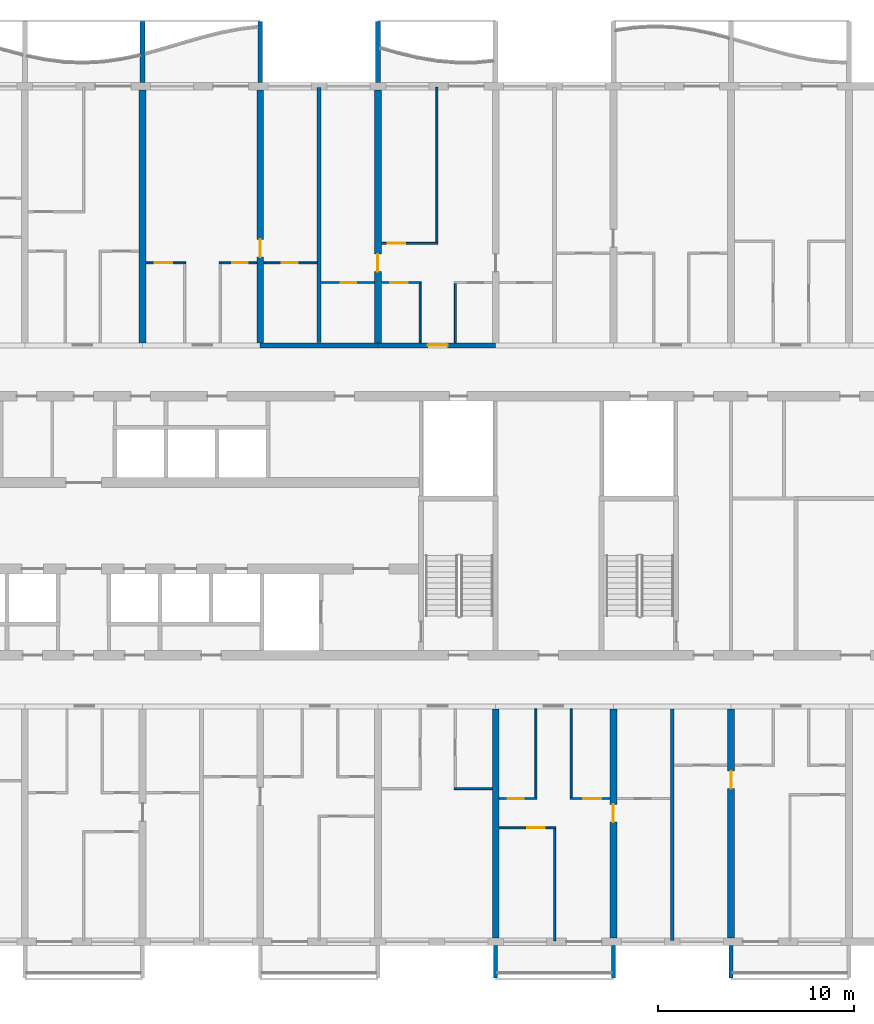
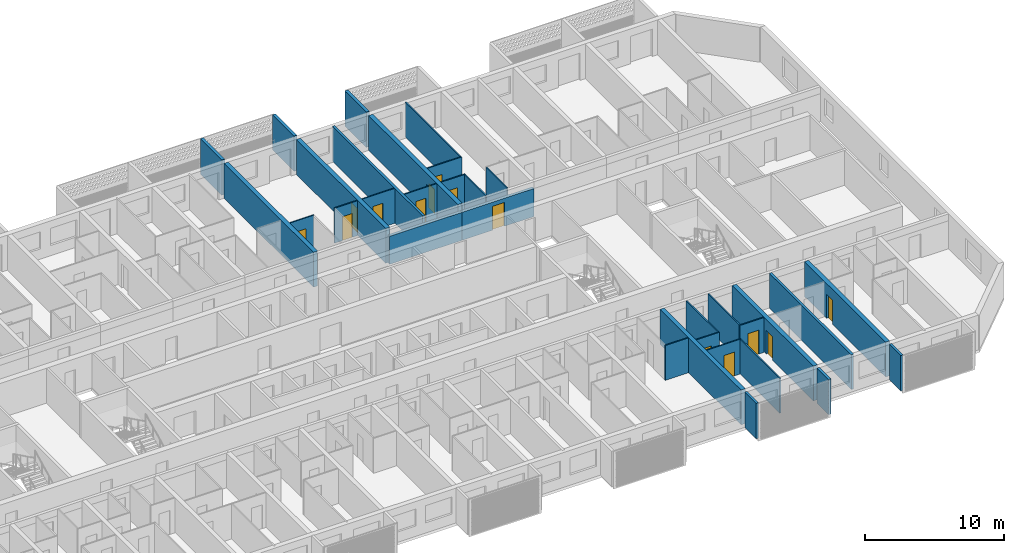
# One storey, part 13 of 27: 32 walls, 14 doors, 14 openings.
"""IFC4 building model written with IfcOpenShell, lengths in metres."""

from ifc_helpers import new_model, si_unit, direction, frame, frame_2d, origin, place, context, subcontext, project, spatial, polyline, rectangle, outline, extrude, source, transform, mapped, material, layer, layer_set, type_object, element, fill, save


model = new_model("IFC4")

# Units and contexts
model_context = context("Model", 3, precision=1e-05, world=origin(), true_north=direction((0.0, 1.0)))
body_context = subcontext(model_context, "Body", "Model", "MODEL_VIEW")
ifc_project = project(units=[si_unit("LENGTHUNIT", "METRE"), si_unit("AREAUNIT", "SQUARE_METRE"), si_unit("VOLUMEUNIT", "CUBIC_METRE"), si_unit("PLANEANGLEUNIT", "RADIAN"), si_unit("MASSUNIT", "GRAM", prefix="KILO")], contexts=[model_context])

# Site, building, storey
site_placement = place(None, origin())
site = spatial("IfcSite", under=ifc_project, at=site_placement, CompositionType="ELEMENT")
building_placement = place(site_placement, origin())
building = spatial("IfcBuilding", under=site, at=building_placement, Name="Poui Terraces", CompositionType="ELEMENT")
storey_placement = place(building_placement, frame((0.0, 0.0, 76.199951171875)))
storey = spatial("IfcBuildingStorey", under=building, at=storey_placement, Name="L20", CompositionType="ELEMENT", Elevation=76.199951171875)

# Wall
ifc_material_1 = material(Name="Concrete 65 MPa", Category="concrete")
ifc_layer_1 = layer(ifc_material_1, 0.25)
ifc_layer_set_1 = layer_set([ifc_layer_1], Name="Concrete 65 MPa")
wall_type_1 = type_object("IfcWallType", Name="CORRIDOR WALL 250 65MPa", PredefinedType="SHEAR", material=ifc_layer_set_1)
wall_1_placement = place(storey_placement, frame((60.0, 30.39990234375, 0.0), z_axis=(0.0, 0.0, 1.0), x_axis=(1.0, 0.0, 0.0)))
element("IfcWall", 1, at=wall_1_placement, inside=storey, type_object=wall_type_1, Name="CORRIDOR WALL LINE E BAY 10", PredefinedType="SHEAR", context=body_context, shape_type="SweptSolid", body=[
    extrude(rectangle(XDim=6.0, YDim=0.25, at=frame_2d((3.0, 0.0))), origin(), (0.0, 0.0, 1.0), 2.4599609375),
])

# Wall, opening, door
wall_2_placement = place(storey_placement, frame((66.0, 30.39990234375, 0.0), z_axis=(0.0, 0.0, 1.0), x_axis=(1.0, 0.0, 0.0)))
wall_2 = element("IfcWall", 2, at=wall_2_placement, inside=storey, type_object=wall_type_1, Name="CORRIDOR WALL LINE E BAY 11", PredefinedType="SHEAR", context=body_context, shape_type="SweptSolid", body=[
    extrude(rectangle(XDim=6.0, YDim=0.25, at=frame_2d((3.0, 0.0))), origin(), (0.0, 0.0, 1.0), 2.4599609375),
])
opening_1_placement = place(wall_2_placement, frame((2.550048828125, 0.0, 0.0)))
opening_1 = element("IfcOpeningElement", 3, at=opening_1_placement, cuts=wall_2, Name="Opening FD30S", PredefinedType="OPENING", context=body_context, shape_type="SweptSolid", body=[
    extrude(rectangle(XDim=1.0, YDim=2.10009765625, at=frame_2d((0.5, 1.050048828125))), frame((0.0, 0.135009765625, 0.0), z_axis=(0.0, -1.0, 0.0), x_axis=(1.0, 0.0, 0.0)), (0.0, 0.0, 1.0), 0.27001953125),
])
ifc_material_2 = material(Name="Steel fire door", Category="steel")
door_type_1 = type_object("IfcDoorType", Name="FLAT ENTRANCE DOOR 1000 X 2100", OperationType="NOTDEFINED", PredefinedType="DOOR", material=ifc_material_2)
door_1_placement = place(opening_1_placement, origin())
door_1 = element("IfcDoor", 4, at=door_1_placement, inside=storey, type_object=door_type_1, Name="FLAT ENTRANCE DOOR 071", OperationType="SINGLE_SWING_RIGHT", OverallHeight=2.10009765625, OverallWidth=1.0, PredefinedType="DOOR", context=body_context, shape_type="SweptSolid", body=[
    extrude(rectangle(XDim=1.0, YDim=2.10009765625, at=frame_2d((0.5, 1.050048828125))), frame((0.0, 0.02490234375, 0.0), z_axis=(0.0, -1.0, 0.0), x_axis=(1.0, 0.0, 0.0)), (0.0, 0.0, 1.0), 0.050048828125),
])
fill(opening_1, door_1)

# Wall
ifc_layer_2 = layer(ifc_material_1, 0.35009765625)
ifc_layer_set_2 = layer_set([ifc_layer_2], Name="Concrete 65 MPa")
wall_type_2 = type_object("IfcWallType", Name="CROSS WALL 350 65MPa", PredefinedType="SHEAR", material=ifc_layer_set_2)
wall_3_placement = place(storey_placement, frame((54.0, 30.52490234375, 0.0), z_axis=(0.0, 0.0, 1.0), x_axis=(0.0, 1.0, 0.0)))
element("IfcWall", 5, at=wall_3_placement, inside=storey, type_object=wall_type_2, Name="CROSS WALL LINE 10 NORTH", PredefinedType="SHEAR", context=body_context, shape_type="SweptSolid", body=[
    extrude(rectangle(XDim=12.875, YDim=0.35009765625, at=frame_2d((6.4375, 0.0))), origin(), (0.0, 0.0, 1.0), 3.06005859375),
])

# Wall, opening, door
wall_4_placement = place(storey_placement, frame((60.0, 30.52490234375, 0.0), z_axis=(0.0, 0.0, 1.0), x_axis=(0.0, 1.0, 0.0)))
wall_4 = element("IfcWall", 6, at=wall_4_placement, inside=storey, type_object=wall_type_2, Name="CROSS WALL LINE 11 NORTH", PredefinedType="SHEAR", context=body_context, shape_type="SweptSolid", body=[
    extrude(rectangle(XDim=12.875, YDim=0.35009765625, at=frame_2d((6.4375, 0.0))), origin(), (0.0, 0.0, 1.0), 3.06005859375),
])
opening_2_placement = place(wall_4_placement, frame((4.375, 0.0, 0.0)))
opening_2 = element("IfcOpeningElement", 7, at=opening_2_placement, cuts=wall_4, Name="Opening D90", PredefinedType="OPENING", context=body_context, shape_type="SweptSolid", body=[
    extrude(rectangle(XDim=0.89990234375, YDim=2.10009765625, at=frame_2d((0.449951171875, 1.050048828125))), frame((0.0, 0.18505859375, 0.0), z_axis=(0.0, -1.0, 0.0), x_axis=(1.0, 0.0, 0.0)), (0.0, 0.0, 1.0), 0.3701171875),
])
ifc_material_3 = material(Name="Solid core timber door", Category="wood")
door_type_2 = type_object("IfcDoorType", Name="INTERNAL DOOR 900 X 2100", OperationType="NOTDEFINED", PredefinedType="DOOR", material=ifc_material_3)
door_2_placement = place(opening_2_placement, frame((0.89990234375, 0.0, 0.0), z_axis=(0.0, 0.0, 1.0), x_axis=(-1.0, 0.0, 0.0)))
door_2 = element("IfcDoor", 8, at=door_2_placement, inside=storey, type_object=door_type_2, Name="INTERNAL DOOR 065", OperationType="SINGLE_SWING_RIGHT", OverallHeight=2.10009765625, OverallWidth=0.89990234375, PredefinedType="DOOR", context=body_context, shape_type="SweptSolid", body=[
    extrude(rectangle(XDim=0.89990234375, YDim=2.10009765625, at=frame_2d((0.449951171875, 1.050048828125))), frame((0.0, 0.02490234375, 0.0), z_axis=(0.0, -1.0, 0.0), x_axis=(1.0, 0.0, 0.0)), (0.0, 0.0, 1.0), 0.050048828125),
])
fill(opening_2, door_2)

wall_5_placement = place(storey_placement, frame((66.0, 30.52490234375, 0.0), z_axis=(0.0, 0.0, 1.0), x_axis=(0.0, 1.0, 0.0)))
wall_5 = element("IfcWall", 9, at=wall_5_placement, inside=storey, type_object=wall_type_2, Name="CROSS WALL LINE 12 NORTH", PredefinedType="SHEAR", context=body_context, shape_type="SweptSolid", body=[
    extrude(rectangle(XDim=12.875, YDim=0.35009765625, at=frame_2d((6.4375, 0.0))), origin(), (0.0, 0.0, 1.0), 3.06005859375),
])
opening_3_placement = place(wall_5_placement, frame((3.625, 0.0, 0.0)))
opening_3 = element("IfcOpeningElement", 10, at=opening_3_placement, cuts=wall_5, Name="Opening D90", PredefinedType="OPENING", context=body_context, shape_type="SweptSolid", body=[
    extrude(rectangle(XDim=0.89990234375, YDim=2.10009765625, at=frame_2d((0.449951171875, 1.050048828125))), frame((0.0, 0.18505859375, 0.0), z_axis=(0.0, -1.0, 0.0), x_axis=(1.0, 0.0, 0.0)), (0.0, 0.0, 1.0), 0.3701171875),
])
door_3_placement = place(opening_3_placement, origin())
door_3 = element("IfcDoor", 11, at=door_3_placement, inside=storey, type_object=door_type_2, Name="INTERNAL DOOR 068", OperationType="SINGLE_SWING_LEFT", OverallHeight=2.10009765625, OverallWidth=0.89990234375, PredefinedType="DOOR", context=body_context, shape_type="SweptSolid", body=[
    extrude(rectangle(XDim=0.89990234375, YDim=2.10009765625, at=frame_2d((0.449951171875, 1.050048828125))), frame((0.0, 0.02490234375, 0.0), z_axis=(0.0, -1.0, 0.0), x_axis=(1.0, 0.0, 0.0)), (0.0, 0.0, 1.0), 0.050048828125),
])
fill(opening_3, door_3)

# Wall
wall_6_placement = place(storey_placement, frame((72.0, 0.199951171875, 0.0), z_axis=(0.0, 0.0, 1.0), x_axis=(0.0, 1.0, 0.0)))
element("IfcWall", 12, at=wall_6_placement, inside=storey, type_object=wall_type_2, Name="CROSS WALL LINE 13 SOUTH", PredefinedType="SHEAR", context=body_context, shape_type="SweptSolid", body=[
    extrude(rectangle(XDim=11.675048828125, YDim=0.35009765625, at=frame_2d((5.83740234375, 0.0))), origin(), (0.0, 0.0, 1.0), 3.06005859375),
])

# Wall, opening, door
wall_7_placement = place(storey_placement, frame((78.0, 0.199951171875, 0.0), z_axis=(0.0, 0.0, 1.0), x_axis=(0.0, 1.0, 0.0)))
wall_7 = element("IfcWall", 13, at=wall_7_placement, inside=storey, type_object=wall_type_2, Name="CROSS WALL LINE 14 SOUTH", PredefinedType="SHEAR", context=body_context, shape_type="SweptSolid", body=[
    extrude(rectangle(XDim=11.675048828125, YDim=0.35009765625, at=frame_2d((5.83740234375, 0.0))), origin(), (0.0, 0.0, 1.0), 3.06005859375),
])
opening_4_placement = place(wall_7_placement, frame((5.89990234375, 0.0, 0.0)))
opening_4 = element("IfcOpeningElement", 14, at=opening_4_placement, cuts=wall_7, Name="Opening D90", PredefinedType="OPENING", context=body_context, shape_type="SweptSolid", body=[
    extrude(rectangle(XDim=0.89990234375, YDim=2.10009765625, at=frame_2d((0.449951171875, 1.050048828125))), frame((0.0, 0.18505859375, 0.0), z_axis=(0.0, -1.0, 0.0), x_axis=(1.0, 0.0, 0.0)), (0.0, 0.0, 1.0), 0.3701171875),
])
door_4_placement = place(opening_4_placement, frame((0.89990234375, 0.0, 0.0), z_axis=(0.0, 0.0, 1.0), x_axis=(-1.0, 0.0, 0.0)))
door_4 = element("IfcDoor", 15, at=door_4_placement, inside=storey, type_object=door_type_2, Name="INTERNAL DOOR 127", OperationType="SINGLE_SWING_LEFT", OverallHeight=2.10009765625, OverallWidth=0.89990234375, PredefinedType="DOOR", context=body_context, shape_type="SweptSolid", body=[
    extrude(rectangle(XDim=0.89990234375, YDim=2.10009765625, at=frame_2d((0.449951171875, 1.050048828125))), frame((0.0, 0.02490234375, 0.0), z_axis=(0.0, -1.0, 0.0), x_axis=(1.0, 0.0, 0.0)), (0.0, 0.0, 1.0), 0.050048828125),
])
fill(opening_4, door_4)

wall_8_placement = place(storey_placement, frame((84.0, 0.199951171875, 0.0), z_axis=(0.0, 0.0, 1.0), x_axis=(0.0, 1.0, 0.0)))
wall_8 = element("IfcWall", 16, at=wall_8_placement, inside=storey, type_object=wall_type_2, Name="CROSS WALL LINE 15 SOUTH", PredefinedType="SHEAR", context=body_context, shape_type="SweptSolid", body=[
    extrude(rectangle(XDim=11.675048828125, YDim=0.35009765625, at=frame_2d((5.83740234375, 0.0))), origin(), (0.0, 0.0, 1.0), 3.06005859375),
])
opening_5_placement = place(wall_8_placement, frame((7.60009765625, 0.0, 0.0)))
opening_5 = element("IfcOpeningElement", 17, at=opening_5_placement, cuts=wall_8, Name="Opening D90", PredefinedType="OPENING", context=body_context, shape_type="SweptSolid", body=[
    extrude(rectangle(XDim=0.89990234375, YDim=2.10009765625, at=frame_2d((0.449951171875, 1.050048828125))), frame((0.0, 0.18505859375, 0.0), z_axis=(0.0, -1.0, 0.0), x_axis=(1.0, 0.0, 0.0)), (0.0, 0.0, 1.0), 0.3701171875),
])
door_5_placement = place(opening_5_placement, origin())
door_5 = element("IfcDoor", 18, at=door_5_placement, inside=storey, type_object=door_type_2, Name="INTERNAL DOOR 129", OperationType="SINGLE_SWING_RIGHT", OverallHeight=2.10009765625, OverallWidth=0.89990234375, PredefinedType="DOOR", context=body_context, shape_type="SweptSolid", body=[
    extrude(rectangle(XDim=0.89990234375, YDim=2.10009765625, at=frame_2d((0.449951171875, 1.050048828125))), frame((0.0, 0.02490234375, 0.0), z_axis=(0.0, -1.0, 0.0), x_axis=(1.0, 0.0, 0.0)), (0.0, 0.0, 1.0), 0.050048828125),
])
fill(opening_5, door_5)

ifc_material_4 = material(Name="Plasterboard partition")
ifc_layer_3 = layer(ifc_material_4, 0.10009765625)
ifc_layer_set_3 = layer_set([ifc_layer_3], Name="Plasterboard partition")
wall_type_3 = type_object("IfcWallType", Name="FLAT PARTITION 100", PredefinedType="PARTITIONING", material=ifc_layer_set_3)
wall_9_placement = place(storey_placement, frame((72.18505859375, 5.800048828125, 0.0), z_axis=(0.0, 0.0, 1.0), x_axis=(1.0, 0.0, 0.0)))
wall_9 = element("IfcWall", 19, at=wall_9_placement, inside=storey, type_object=wall_type_3, Name="FLAT PARTITION 100", PredefinedType="PARTITIONING", context=body_context, shape_type="SweptSolid", body=[
    extrude(rectangle(XDim=2.864990234375, YDim=0.10009765625, at=frame_2d((1.4326171875, 0.0))), origin(), (0.0, 0.0, 1.0), 3.06005859375),
])
opening_6_placement = place(wall_9_placement, frame((1.4150390625, 0.0, 0.0)))
opening_6 = element("IfcOpeningElement", 20, at=opening_6_placement, cuts=wall_9, Name="Opening D90", PredefinedType="OPENING", context=body_context, shape_type="SweptSolid", body=[
    extrude(rectangle(XDim=0.89990234375, YDim=2.10009765625, at=frame_2d((0.449951171875, 1.050048828125))), frame((0.0, 0.06005859375, 0.0), z_axis=(0.0, -1.0, 0.0), x_axis=(1.0, 0.0, 0.0)), (0.0, 0.0, 1.0), 0.1201171875),
])
door_6_placement = place(opening_6_placement, origin())
door_6 = element("IfcDoor", 21, at=door_6_placement, inside=storey, type_object=door_type_2, Name="INTERNAL DOOR 124", OperationType="SINGLE_SWING_LEFT", OverallHeight=2.10009765625, OverallWidth=0.89990234375, PredefinedType="DOOR", context=body_context, shape_type="SweptSolid", body=[
    extrude(rectangle(XDim=0.89990234375, YDim=2.10009765625, at=frame_2d((0.449951171875, 1.050048828125))), frame((0.0, 0.02490234375, 0.0), z_axis=(0.0, -1.0, 0.0), x_axis=(1.0, 0.0, 0.0)), (0.0, 0.0, 1.0), 0.050048828125),
])
fill(opening_6, door_6)

wall_10_placement = place(storey_placement, frame((72.18505859375, 7.300048828125, 0.0), z_axis=(0.0, 0.0, 1.0), x_axis=(1.0, 0.0, 0.0)))
wall_10 = element("IfcWall", 22, at=wall_10_placement, inside=storey, type_object=wall_type_3, Name="FLAT PARTITION 100", PredefinedType="PARTITIONING", context=body_context, shape_type="SweptSolid", body=[
    extrude(rectangle(XDim=1.9150390625, YDim=0.10009765625, at=frame_2d((0.95751953125, 0.0))), origin(), (0.0, 0.0, 1.0), 3.06005859375),
])
opening_7_placement = place(wall_10_placement, frame((0.43994140625, 0.0, 0.0)))
opening_7 = element("IfcOpeningElement", 23, at=opening_7_placement, cuts=wall_10, Name="Opening D80", PredefinedType="OPENING", context=body_context, shape_type="SweptSolid", body=[
    extrude(rectangle(XDim=0.800048828125, YDim=2.10009765625, at=frame_2d((0.39990234375, 1.050048828125))), frame((0.0, 0.06005859375, 0.0), z_axis=(0.0, -1.0, 0.0), x_axis=(1.0, 0.0, 0.0)), (0.0, 0.0, 1.0), 0.1201171875),
])
door_type_3 = type_object("IfcDoorType", Name="BATHROOM, LAUNDRY AND STORE DOOR 800 X 2100", OperationType="NOTDEFINED", PredefinedType="DOOR", material=ifc_material_3)
door_7_placement = place(opening_7_placement, origin())
door_7 = element("IfcDoor", 24, at=door_7_placement, inside=storey, type_object=door_type_3, Name="BATHROOM, LAUNDRY AND STORE DOOR 123", OperationType="SINGLE_SWING_RIGHT", OverallHeight=2.10009765625, OverallWidth=0.800048828125, PredefinedType="DOOR", context=body_context, shape_type="SweptSolid", body=[
    extrude(rectangle(XDim=0.800048828125, YDim=2.10009765625, at=frame_2d((0.39990234375, 1.050048828125))), frame((0.0, 0.02490234375, 0.0), z_axis=(0.0, -1.0, 0.0), x_axis=(1.0, 0.0, 0.0)), (0.0, 0.0, 1.0), 0.050048828125),
])
fill(opening_7, door_7)

wall_11_placement = place(storey_placement, frame((75.800048828125, 7.300048828125, 0.0), z_axis=(0.0, 0.0, 1.0), x_axis=(1.0, 0.0, 0.0)))
wall_11 = element("IfcWall", 25, at=wall_11_placement, inside=storey, type_object=wall_type_3, Name="FLAT PARTITION 100", PredefinedType="PARTITIONING", context=body_context, shape_type="SweptSolid", body=[
    extrude(rectangle(XDim=2.014892578125, YDim=0.10009765625, at=frame_2d((1.00732421875, 0.0))), origin(), (0.0, 0.0, 1.0), 3.06005859375),
])
opening_8_placement = place(wall_11_placement, frame((0.675048828125, 0.0, 0.0)))
opening_8 = element("IfcOpeningElement", 26, at=opening_8_placement, cuts=wall_11, Name="Opening D90", PredefinedType="OPENING", context=body_context, shape_type="SweptSolid", body=[
    extrude(rectangle(XDim=0.89990234375, YDim=2.10009765625, at=frame_2d((0.449951171875, 1.050048828125))), frame((0.0, 0.06005859375, 0.0), z_axis=(0.0, -1.0, 0.0), x_axis=(1.0, 0.0, 0.0)), (0.0, 0.0, 1.0), 0.1201171875),
])
door_8_placement = place(opening_8_placement, origin())
door_8 = element("IfcDoor", 27, at=door_8_placement, inside=storey, type_object=door_type_2, Name="INTERNAL DOOR 126", OperationType="SINGLE_SWING_LEFT", OverallHeight=2.10009765625, OverallWidth=0.89990234375, PredefinedType="DOOR", context=body_context, shape_type="SweptSolid", body=[
    extrude(rectangle(XDim=0.89990234375, YDim=2.10009765625, at=frame_2d((0.449951171875, 1.050048828125))), frame((0.0, 0.02490234375, 0.0), z_axis=(0.0, -1.0, 0.0), x_axis=(1.0, 0.0, 0.0)), (0.0, 0.0, 1.0), 0.050048828125),
])
fill(opening_8, door_8)

# Wall
wall_12_placement = place(storey_placement, frame((69.89990234375, 7.800048828125, 0.0), z_axis=(0.0, 0.0, 1.0), x_axis=(1.0, 0.0, 0.0)))
element("IfcWall", 28, at=wall_12_placement, inside=storey, type_object=wall_type_3, Name="FLAT PARTITION 100", PredefinedType="PARTITIONING", context=body_context, shape_type="SweptSolid", body=[
    extrude(rectangle(XDim=1.9150390625, YDim=0.10009765625, at=frame_2d((0.95751953125, 0.0))), origin(), (0.0, 0.0, 1.0), 3.06005859375),
])

# Wall, opening, door
wall_13_placement = place(storey_placement, frame((63.10009765625, 33.60009765625, 0.0), z_axis=(0.0, 0.0, 1.0), x_axis=(1.0, 0.0, 0.0)))
wall_13 = element("IfcWall", 29, at=wall_13_placement, inside=storey, type_object=wall_type_3, Name="FLAT PARTITION 100", PredefinedType="PARTITIONING", context=body_context, shape_type="SweptSolid", body=[
    extrude(rectangle(XDim=2.71484375, YDim=0.10009765625, at=frame_2d((1.357421875, 0.0))), origin(), (0.0, 0.0, 1.0), 3.06005859375),
])
opening_9_placement = place(wall_13_placement, frame((1.0, 0.0, 0.0)))
opening_9 = element("IfcOpeningElement", 30, at=opening_9_placement, cuts=wall_13, Name="Opening D80", PredefinedType="OPENING", context=body_context, shape_type="SweptSolid", body=[
    extrude(rectangle(XDim=0.800048828125, YDim=2.10009765625, at=frame_2d((0.39990234375, 1.050048828125))), frame((0.0, 0.06005859375, 0.0), z_axis=(0.0, -1.0, 0.0), x_axis=(1.0, 0.0, 0.0)), (0.0, 0.0, 1.0), 0.1201171875),
])
door_9_placement = place(opening_9_placement, frame((0.800048828125, 0.0, 0.0), z_axis=(0.0, 0.0, 1.0), x_axis=(-1.0, 0.0, 0.0)))
door_9 = element("IfcDoor", 31, at=door_9_placement, inside=storey, type_object=door_type_3, Name="BATHROOM, LAUNDRY AND STORE DOOR 066", OperationType="SINGLE_SWING_RIGHT", OverallHeight=2.10009765625, OverallWidth=0.800048828125, PredefinedType="DOOR", context=body_context, shape_type="SweptSolid", body=[
    extrude(rectangle(XDim=0.800048828125, YDim=2.10009765625, at=frame_2d((0.39990234375, 1.050048828125))), frame((0.0, 0.02490234375, 0.0), z_axis=(0.0, -1.0, 0.0), x_axis=(1.0, 0.0, 0.0)), (0.0, 0.0, 1.0), 0.050048828125),
])
fill(opening_9, door_9)

wall_14_placement = place(storey_placement, frame((66.18505859375, 33.60009765625, 0.0), z_axis=(0.0, 0.0, 1.0), x_axis=(1.0, 0.0, 0.0)))
wall_14 = element("IfcWall", 32, at=wall_14_placement, inside=storey, type_object=wall_type_3, Name="FLAT PARTITION 100", PredefinedType="PARTITIONING", context=body_context, shape_type="SweptSolid", body=[
    extrude(rectangle(XDim=2.014892578125, YDim=0.10009765625, at=frame_2d((1.00732421875, 0.0))), origin(), (0.0, 0.0, 1.0), 3.06005859375),
])
opening_10_placement = place(wall_14_placement, frame((0.43994140625, 0.0, 0.0)))
opening_10 = element("IfcOpeningElement", 33, at=opening_10_placement, cuts=wall_14, Name="Opening D90", PredefinedType="OPENING", context=body_context, shape_type="SweptSolid", body=[
    extrude(rectangle(XDim=0.89990234375, YDim=2.10009765625, at=frame_2d((0.449951171875, 1.050048828125))), frame((0.0, 0.06005859375, 0.0), z_axis=(0.0, -1.0, 0.0), x_axis=(1.0, 0.0, 0.0)), (0.0, 0.0, 1.0), 0.1201171875),
])
door_10_placement = place(opening_10_placement, frame((0.89990234375, 0.0, 0.0), z_axis=(0.0, 0.0, 1.0), x_axis=(-1.0, 0.0, 0.0)))
door_10 = element("IfcDoor", 34, at=door_10_placement, inside=storey, type_object=door_type_2, Name="INTERNAL DOOR 070", OperationType="SINGLE_SWING_RIGHT", OverallHeight=2.10009765625, OverallWidth=0.89990234375, PredefinedType="DOOR", context=body_context, shape_type="SweptSolid", body=[
    extrude(rectangle(XDim=0.89990234375, YDim=2.10009765625, at=frame_2d((0.449951171875, 1.050048828125))), frame((0.0, 0.02490234375, 0.0), z_axis=(0.0, -1.0, 0.0), x_axis=(1.0, 0.0, 0.0)), (0.0, 0.0, 1.0), 0.050048828125),
])
fill(opening_10, door_10)

wall_15_placement = place(storey_placement, frame((54.18505859375, 34.60009765625, 0.0), z_axis=(0.0, 0.0, 1.0), x_axis=(1.0, 0.0, 0.0)))
wall_15 = element("IfcWall", 35, at=wall_15_placement, inside=storey, type_object=wall_type_3, Name="FLAT PARTITION 100", PredefinedType="PARTITIONING", context=body_context, shape_type="SweptSolid", body=[
    extrude(rectangle(XDim=2.014892578125, YDim=0.10009765625, at=frame_2d((1.00732421875, 0.0))), origin(), (0.0, 0.0, 1.0), 3.06005859375),
])
opening_11_placement = place(wall_15_placement, frame((0.43994140625, 0.0, 0.0)))
opening_11 = element("IfcOpeningElement", 36, at=opening_11_placement, cuts=wall_15, Name="Opening D90", PredefinedType="OPENING", context=body_context, shape_type="SweptSolid", body=[
    extrude(rectangle(XDim=0.89990234375, YDim=2.10009765625, at=frame_2d((0.449951171875, 1.050048828125))), frame((0.0, 0.06005859375, 0.0), z_axis=(0.0, -1.0, 0.0), x_axis=(1.0, 0.0, 0.0)), (0.0, 0.0, 1.0), 0.1201171875),
])
door_11_placement = place(opening_11_placement, frame((0.89990234375, 0.0, 0.0), z_axis=(0.0, 0.0, 1.0), x_axis=(-1.0, 0.0, 0.0)))
door_11 = element("IfcDoor", 37, at=door_11_placement, inside=storey, type_object=door_type_2, Name="INTERNAL DOOR 062", OperationType="SINGLE_SWING_RIGHT", OverallHeight=2.10009765625, OverallWidth=0.89990234375, PredefinedType="DOOR", context=body_context, shape_type="SweptSolid", body=[
    extrude(rectangle(XDim=0.89990234375, YDim=2.10009765625, at=frame_2d((0.449951171875, 1.050048828125))), frame((0.0, 0.02490234375, 0.0), z_axis=(0.0, -1.0, 0.0), x_axis=(1.0, 0.0, 0.0)), (0.0, 0.0, 1.0), 0.050048828125),
])
fill(opening_11, door_11)

wall_16_placement = place(storey_placement, frame((57.89990234375, 34.60009765625, 0.0), z_axis=(0.0, 0.0, 1.0), x_axis=(1.0, 0.0, 0.0)))
wall_16 = element("IfcWall", 38, at=wall_16_placement, inside=storey, type_object=wall_type_3, Name="FLAT PARTITION 100", PredefinedType="PARTITIONING", context=body_context, shape_type="SweptSolid", body=[
    extrude(rectangle(XDim=1.9150390625, YDim=0.10009765625, at=frame_2d((0.95751953125, 0.0))), origin(), (0.0, 0.0, 1.0), 3.06005859375),
])
opening_12_placement = place(wall_16_placement, frame((0.675048828125, 0.0, 0.0)))
opening_12 = element("IfcOpeningElement", 39, at=opening_12_placement, cuts=wall_16, Name="Opening D80", PredefinedType="OPENING", context=body_context, shape_type="SweptSolid", body=[
    extrude(rectangle(XDim=0.800048828125, YDim=2.10009765625, at=frame_2d((0.39990234375, 1.050048828125))), frame((0.0, 0.06005859375, 0.0), z_axis=(0.0, -1.0, 0.0), x_axis=(1.0, 0.0, 0.0)), (0.0, 0.0, 1.0), 0.1201171875),
])
door_12_placement = place(opening_12_placement, frame((0.800048828125, 0.0, 0.0), z_axis=(0.0, 0.0, 1.0), x_axis=(-1.0, 0.0, 0.0)))
door_12 = element("IfcDoor", 40, at=door_12_placement, inside=storey, type_object=door_type_3, Name="BATHROOM, LAUNDRY AND STORE DOOR 064", OperationType="SINGLE_SWING_LEFT", OverallHeight=2.10009765625, OverallWidth=0.800048828125, PredefinedType="DOOR", context=body_context, shape_type="SweptSolid", body=[
    extrude(rectangle(XDim=0.800048828125, YDim=2.10009765625, at=frame_2d((0.39990234375, 1.050048828125))), frame((0.0, 0.02490234375, 0.0), z_axis=(0.0, -1.0, 0.0), x_axis=(1.0, 0.0, 0.0)), (0.0, 0.0, 1.0), 0.050048828125),
])
fill(opening_12, door_12)

wall_17_placement = place(storey_placement, frame((60.18505859375, 34.60009765625, 0.0), z_axis=(0.0, 0.0, 1.0), x_axis=(1.0, 0.0, 0.0)))
wall_17 = element("IfcWall", 41, at=wall_17_placement, inside=storey, type_object=wall_type_3, Name="FLAT PARTITION 100", PredefinedType="PARTITIONING", context=body_context, shape_type="SweptSolid", body=[
    extrude(rectangle(XDim=2.71484375, YDim=0.10009765625, at=frame_2d((1.357421875, 0.0))), origin(), (0.0, 0.0, 1.0), 3.06005859375),
])
opening_13_placement = place(wall_17_placement, frame((0.9150390625, 0.0, 0.0)))
opening_13 = element("IfcOpeningElement", 42, at=opening_13_placement, cuts=wall_17, Name="Opening D80", PredefinedType="OPENING", context=body_context, shape_type="SweptSolid", body=[
    extrude(rectangle(XDim=0.800048828125, YDim=2.10009765625, at=frame_2d((0.39990234375, 1.050048828125))), frame((0.0, 0.06005859375, 0.0), z_axis=(0.0, -1.0, 0.0), x_axis=(1.0, 0.0, 0.0)), (0.0, 0.0, 1.0), 0.1201171875),
])
door_13_placement = place(opening_13_placement, frame((0.800048828125, 0.0, 0.0), z_axis=(0.0, 0.0, 1.0), x_axis=(-1.0, 0.0, 0.0)))
door_13 = element("IfcDoor", 43, at=door_13_placement, inside=storey, type_object=door_type_3, Name="BATHROOM, LAUNDRY AND STORE DOOR 061", OperationType="SINGLE_SWING_LEFT", OverallHeight=2.10009765625, OverallWidth=0.800048828125, PredefinedType="DOOR", context=body_context, shape_type="SweptSolid", body=[
    extrude(rectangle(XDim=0.800048828125, YDim=2.10009765625, at=frame_2d((0.39990234375, 1.050048828125))), frame((0.0, 0.02490234375, 0.0), z_axis=(0.0, -1.0, 0.0), x_axis=(1.0, 0.0, 0.0)), (0.0, 0.0, 1.0), 0.050048828125),
])
fill(opening_13, door_13)

wall_18_placement = place(storey_placement, frame((66.18505859375, 35.60009765625, 0.0), z_axis=(0.0, 0.0, 1.0), x_axis=(1.0, 0.0, 0.0)))
wall_18 = element("IfcWall", 44, at=wall_18_placement, inside=storey, type_object=wall_type_3, Name="FLAT PARTITION 100", PredefinedType="PARTITIONING", context=body_context, shape_type="SweptSolid", body=[
    extrude(rectangle(XDim=2.864990234375, YDim=0.10009765625, at=frame_2d((1.4326171875, 0.0))), origin(), (0.0, 0.0, 1.0), 3.06005859375),
])
opening_14_placement = place(wall_18_placement, frame((0.31494140625, 0.0, 0.0)))
opening_14 = element("IfcOpeningElement", 45, at=opening_14_placement, cuts=wall_18, Name="Opening D90", PredefinedType="OPENING", context=body_context, shape_type="SweptSolid", body=[
    extrude(rectangle(XDim=0.89990234375, YDim=2.10009765625, at=frame_2d((0.449951171875, 1.050048828125))), frame((0.0, 0.06005859375, 0.0), z_axis=(0.0, -1.0, 0.0), x_axis=(1.0, 0.0, 0.0)), (0.0, 0.0, 1.0), 0.1201171875),
])
door_14_placement = place(opening_14_placement, frame((0.89990234375, 0.0, 0.0), z_axis=(0.0, 0.0, 1.0), x_axis=(-1.0, 0.0, 0.0)))
door_14 = element("IfcDoor", 46, at=door_14_placement, inside=storey, type_object=door_type_2, Name="INTERNAL DOOR 069", OperationType="SINGLE_SWING_LEFT", OverallHeight=2.10009765625, OverallWidth=0.89990234375, PredefinedType="DOOR", context=body_context, shape_type="SweptSolid", body=[
    extrude(rectangle(XDim=0.89990234375, YDim=2.10009765625, at=frame_2d((0.449951171875, 1.050048828125))), frame((0.0, 0.02490234375, 0.0), z_axis=(0.0, -1.0, 0.0), x_axis=(1.0, 0.0, 0.0)), (0.0, 0.0, 1.0), 0.050048828125),
])
fill(opening_14, door_14)

# Walls
wall_19_placement = place(storey_placement, frame((68.14990234375, 30.534912109375, 0.0), z_axis=(0.0, 0.0, 1.0), x_axis=(0.0, 1.0, 0.0)))
element("IfcWall", 47, at=wall_19_placement, inside=storey, type_object=wall_type_3, Name="FLAT PARTITION 100", PredefinedType="PARTITIONING", context=body_context, shape_type="SweptSolid", body=[
    extrude(rectangle(XDim=3.01513671875, YDim=0.10009765625, at=frame_2d((1.507568359375, 0.0))), origin(), (0.0, 0.0, 1.0), 3.06005859375),
])
wall_20_placement = place(storey_placement, frame((69.0, 35.64990234375, 0.0), z_axis=(0.0, 0.0, 1.0), x_axis=(0.0, 1.0, 0.0)))
element("IfcWall", 48, at=wall_20_placement, inside=storey, type_object=wall_type_3, Name="FLAT PARTITION 100", PredefinedType="PARTITIONING", context=body_context, shape_type="SweptSolid", body=[
    extrude(rectangle(XDim=7.89013671875, YDim=0.10009765625, at=frame_2d((3.945068359375, 0.0))), origin(), (0.0, 0.0, 1.0), 3.06005859375),
])
wall_21_placement = place(storey_placement, frame((69.949951171875, 30.534912109375, 0.0), z_axis=(0.0, 0.0, 1.0), x_axis=(0.0, 1.0, 0.0)))
element("IfcWall", 49, at=wall_21_placement, inside=storey, type_object=wall_type_3, Name="FLAT PARTITION 100", PredefinedType="PARTITIONING", context=body_context, shape_type="SweptSolid", body=[
    extrude(rectangle(XDim=3.01513671875, YDim=0.10009765625, at=frame_2d((1.507568359375, 0.0))), origin(), (0.0, 0.0, 1.0), 3.06005859375),
])
wall_22_placement = place(storey_placement, frame((74.050048828125, 7.35009765625, 0.0), z_axis=(0.0, 0.0, 1.0), x_axis=(0.0, 1.0, 0.0)))
element("IfcWall", 50, at=wall_22_placement, inside=storey, type_object=wall_type_3, Name="FLAT PARTITION 100", PredefinedType="PARTITIONING", context=body_context, shape_type="SweptSolid", body=[
    extrude(rectangle(XDim=4.514892578125, YDim=0.10009765625, at=frame_2d((2.25732421875, 0.0))), origin(), (0.0, 0.0, 1.0), 3.06005859375),
])
wall_23_placement = place(storey_placement, frame((75.0, 0.06005859375, 0.0), z_axis=(0.0, 0.0, 1.0), x_axis=(0.0, 1.0, 0.0)))
element("IfcWall", 51, at=wall_23_placement, inside=storey, type_object=wall_type_3, Name="FLAT PARTITION 100", PredefinedType="PARTITIONING", context=body_context, shape_type="SweptSolid", body=[
    extrude(rectangle(XDim=5.68994140625, YDim=0.10009765625, at=frame_2d((2.844970703125, 0.0))), origin(), (0.0, 0.0, 1.0), 3.06005859375),
])
wall_24_placement = place(storey_placement, frame((75.85009765625, 7.35009765625, 0.0), z_axis=(0.0, 0.0, 1.0), x_axis=(0.0, 1.0, 0.0)))
element("IfcWall", 52, at=wall_24_placement, inside=storey, type_object=wall_type_3, Name="FLAT PARTITION 100", PredefinedType="PARTITIONING", context=body_context, shape_type="SweptSolid", body=[
    extrude(rectangle(XDim=4.514892578125, YDim=0.10009765625, at=frame_2d((2.25732421875, 0.0))), origin(), (0.0, 0.0, 1.0), 3.06005859375),
])
ifc_material_5 = material(Name="Fire-rated masonry wall", Category="masonry")
ifc_layer_4 = layer(ifc_material_5, 0.199951171875)
ifc_layer_set_4 = layer_set([ifc_layer_4], Name="Fire-rated masonry wall")
wall_type_4 = type_object("IfcWallType", Name="FLAT PARTY WALL 200", PredefinedType="PARTITIONING", material=ifc_layer_set_4)
wall_25_placement = place(storey_placement, frame((63.0, 30.534912109375, 0.0), z_axis=(0.0, 0.0, 1.0), x_axis=(0.0, 1.0, 0.0)))
element("IfcWall", 53, at=wall_25_placement, inside=storey, type_object=wall_type_4, Name="FLAT PARTY WALL 200", PredefinedType="PARTITIONING", context=body_context, shape_type="SweptSolid", body=[
    extrude(rectangle(XDim=13.005126953125, YDim=0.199951171875, at=frame_2d((6.50244140625, 0.0))), origin(), (0.0, 0.0, 1.0), 3.06005859375),
])
wall_26_placement = place(storey_placement, frame((81.0, 0.06005859375, 0.0), z_axis=(0.0, 0.0, 1.0), x_axis=(0.0, 1.0, 0.0)))
element("IfcWall", 54, at=wall_26_placement, inside=storey, type_object=wall_type_4, Name="FLAT PARTY WALL 200", PredefinedType="PARTITIONING", context=body_context, shape_type="SweptSolid", body=[
    extrude(rectangle(XDim=11.804931640625, YDim=0.199951171875, at=frame_2d((5.90234375, 0.0))), origin(), (0.0, 0.0, 1.0), 3.06005859375),
])
ifc_material_6 = material(Name="Precast concrete 40 MPa", Category="concrete")
ifc_layer_5 = layer(ifc_material_6, 0.199951171875)
ifc_layer_set_5 = layer_set([ifc_layer_5], Name="Precast concrete 40 MPa")
wall_type_5 = type_object("IfcWallType", Name="REAR FIN 200", PredefinedType="STANDARD", material=ifc_layer_set_5)
shared_shape_1 = source(origin(), body_context, "Body", "SweptSolid", [
    extrude(outline(polyline([(0.0, 0.0), (0.2001953125, 0.0), (0.2001953125, 1.650146484375), (0.0, 1.650146484375), (0.0, 0.0)])), origin(), (0.0, 0.0, 1.0), 3.10009765625),
])
for number, where, name in (
    (55, (71.89990234375, -1.85009765625, 0.0), "REAR FIN"),
    (56, (77.89990234375, -1.85009765625, 0.0), "REAR FIN"),
    (57, (83.89990234375, -1.85009765625, 0.0), "REAR FIN"),
):
    element("IfcWall", number, at=place(storey_placement, frame(where)), inside=storey, type_object=wall_type_5, Name=name, PredefinedType="STANDARD", context=body_context, shape_type="MappedRepresentation", body=[
        mapped(shared_shape_1, transform((0.0, 0.0, 0.0))),
    ])
ifc_layer_6 = layer(ifc_material_6, 0.25)
ifc_layer_set_6 = layer_set([ifc_layer_6], Name="Precast concrete 40 MPa")
wall_type_6 = type_object("IfcWallType", Name="BALCONY FIN 250", PredefinedType="STANDARD", material=ifc_layer_set_6)
shared_shape_2 = source(origin(), body_context, "Body", "SweptSolid", [
    extrude(outline(polyline([(0.0, 0.0), (0.25, 0.0), (0.25, 3.099853515625), (0.0, 3.099853515625), (0.0, 0.0)])), origin(), (0.0, 0.0, 1.0), 3.10009765625),
])
for number, where, name in (
    (58, (53.875, 43.800048828125, 0.0), "BALCONY FIN"),
    (59, (59.875, 43.800048828125, 0.0), "BALCONY FIN"),
    (60, (65.875, 43.800048828125, 0.0), "BALCONY FIN"),
):
    element("IfcWall", number, at=place(storey_placement, frame(where)), inside=storey, type_object=wall_type_6, Name=name, PredefinedType="STANDARD", context=body_context, shape_type="MappedRepresentation", body=[
        mapped(shared_shape_2, transform((0.0, 0.0, 0.0))),
    ])

save(model, "model.ifc")
